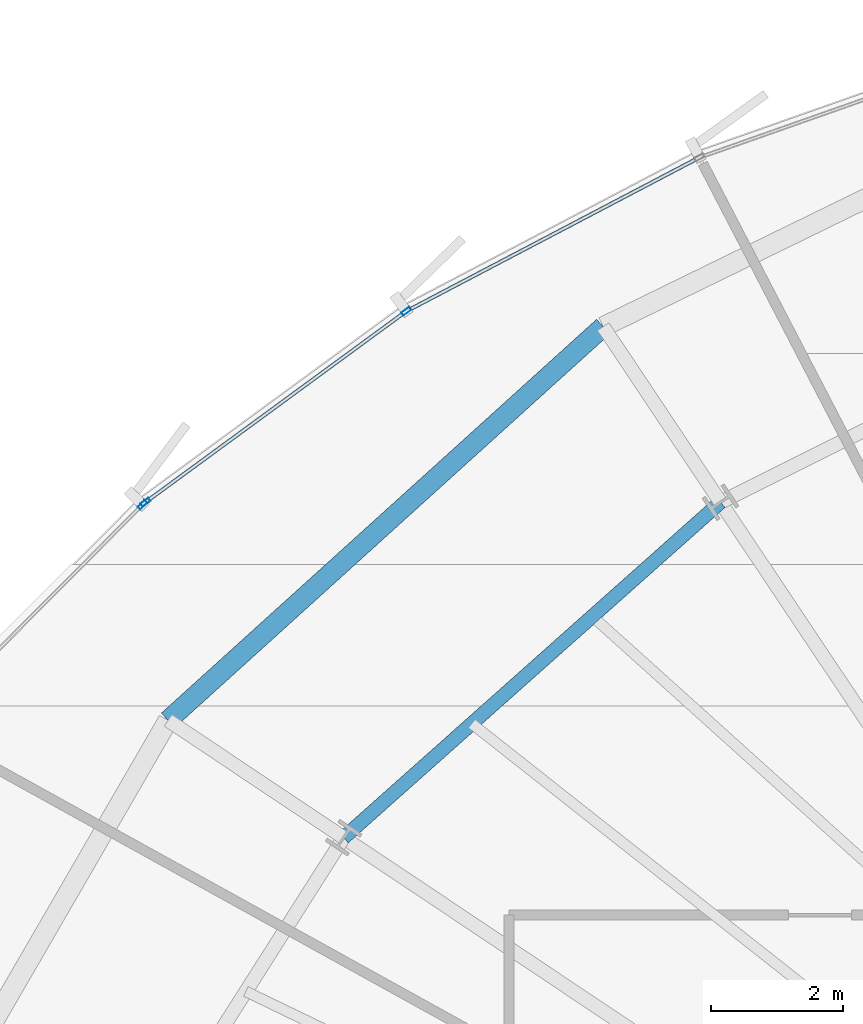
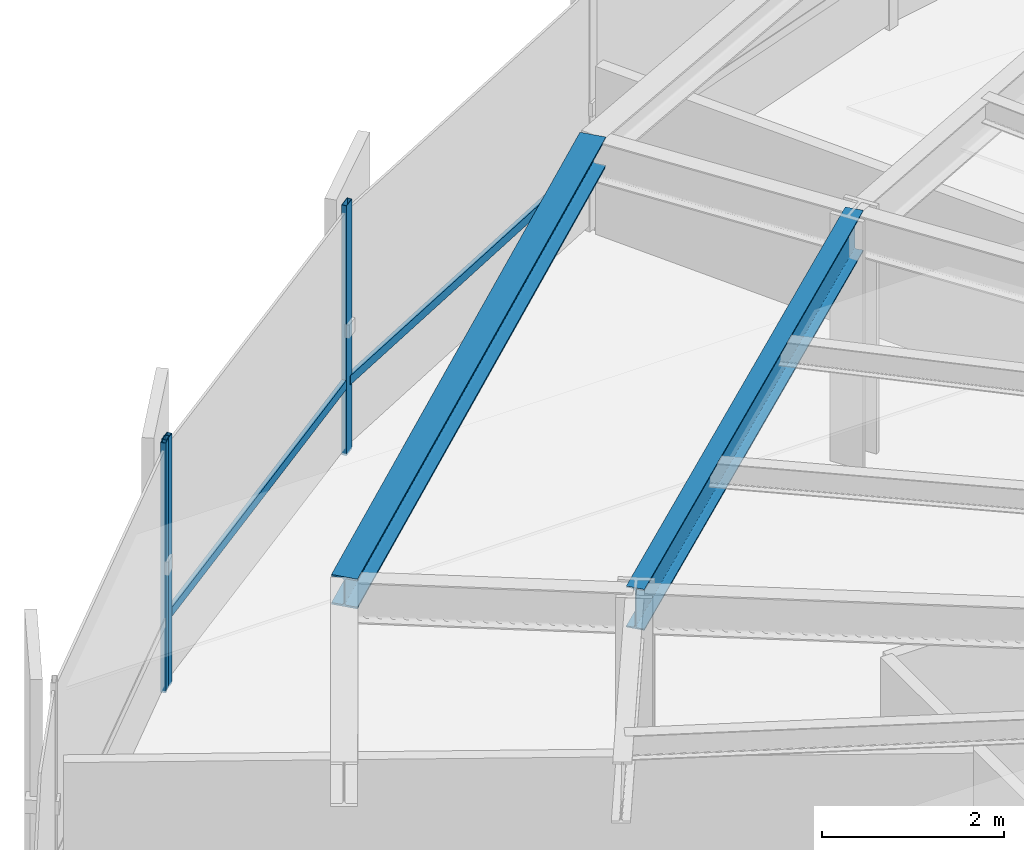
# One storey, part 18 of 35: 5 members, 2 beams, 2 elements without a shape of their own.
"""IFC4 building model written with IfcOpenShell, lengths in metres."""

from ifc_helpers import new_model, si_unit, direction, frame, origin, origin_2d, place, context, subcontext, project, spatial, hollow_rectangle, i_section, extrude, source, transform, mapped, material, layer, layer_set, material_profile, profile_set, type_object, element, aggregate, save


model = new_model("IFC4")

# Units and contexts
model_context = context("Model", 3, precision=1e-05, world=origin(), true_north=direction((0.0, 1.0)))
body_context = subcontext(model_context, "Body", "Model", "MODEL_VIEW")
ifc_project = project(units=[si_unit("LENGTHUNIT", "METRE"), si_unit("AREAUNIT", "SQUARE_METRE"), si_unit("VOLUMEUNIT", "CUBIC_METRE"), si_unit("PLANEANGLEUNIT", "RADIAN"), si_unit("MASSUNIT", "GRAM", prefix="KILO"), si_unit("THERMODYNAMICTEMPERATUREUNIT", "KELVIN")], contexts=[model_context])

# Site, building, storey
site_placement = place(None, origin())
site = spatial("IfcSite", under=ifc_project, at=site_placement, CompositionType="ELEMENT")
building_placement = place(site_placement, origin())
building = spatial("IfcBuilding", under=site, at=building_placement, Name="Kethvar Cultural Tower", CompositionType="ELEMENT")
storey_placement = place(building_placement, frame((0.0, 0.0, 96.39990234375)))
storey = spatial("IfcBuildingStorey", under=building, at=storey_placement, Name="L23", CompositionType="ELEMENT", Elevation=96.39990234375)

# Beams
ifc_material_1 = material(Name="Steel S355J2", Category="steel")
ifc_material_profile_1 = material_profile(ifc_material_1, i_section(OverallWidth=0.2099609375, OverallDepth=0.550048828125, WebThickness=0.010986328125, FlangeThickness=0.01708984375, FilletRadius=0.02392578125, at=origin_2d()), Name="Steel S355J2 — IPE550")
ifc_profile_set_1 = profile_set([ifc_material_profile_1], Name="Steel S355J2 — IPE550")
beam_type_1 = type_object("IfcBeamType", Name="BM-IPE550", PredefinedType="BEAM", material=ifc_profile_set_1)
shared_shape_1 = source(origin(), body_context, "Body", "SweptSolid", [
    extrude(i_section(OverallWidth=0.2099609375, OverallDepth=0.550048828125, WebThickness=0.010986328125, FlangeThickness=0.01708984375, FilletRadius=0.02392578125, at=origin_2d()), origin(), (0.0, 0.0, 1.0), 7.64599609375),
])
beam_1_placement = place(storey_placement, frame((36.0576171875, 43.877197265625, 3.072998046875), z_axis=(-0.747021617367, -0.66479974668, 0.0), x_axis=(0.66479974668, -0.747021617367, 0.0)))
element("IfcBeam", 1, at=beam_1_placement, inside=storey, type_object=beam_type_1, Name="L23 Column Ring Tie Beam CR-06", PredefinedType="BEAM", context=body_context, shape_type="MappedRepresentation", body=[
    mapped(shared_shape_1, transform((0.0, 0.0, 0.0), scale=1.0)),
])
ifc_material_profile_2 = material_profile(ifc_material_1, i_section(OverallWidth=0.300048828125, OverallDepth=0.39990234375, WebThickness=0.013427734375, FlangeThickness=0.02392578125, FilletRadius=0.027099609375, at=origin_2d()), Name="Steel S355J2 — HEB400")
ifc_profile_set_2 = profile_set([ifc_material_profile_2], Name="Steel S355J2 — HEB400")
beam_type_2 = type_object("IfcBeamType", Name="BM-SP400", PredefinedType="SPANDREL", material=ifc_profile_set_2)
shared_shape_2 = source(origin(), body_context, "Body", "SweptSolid", [
    extrude(i_section(OverallWidth=0.300048828125, OverallDepth=0.39990234375, WebThickness=0.013427734375, FlangeThickness=0.02392578125, FilletRadius=0.027099609375, at=origin_2d()), origin(), (0.0, 0.0, 1.0), 8.892822265625),
])
beam_2_placement = place(storey_placement, frame((34.27978515625, 46.5380859375, 3.148193359375), z_axis=(-0.741556591679, -0.670890319901, 0.0), x_axis=(0.670890319901, -0.741556591679, 0.0)))
element("IfcBeam", 2, at=beam_2_placement, inside=storey, type_object=beam_type_2, Name="L23 Perimeter Spandrel Beam SP-06", PredefinedType="SPANDREL", context=body_context, shape_type="MappedRepresentation", body=[
    mapped(shared_shape_2, transform((0.0, 0.0, 0.0), scale=1.0)),
])

# Curtain wall, members
ifc_material_2 = material(Name="Aluminium 6063-T6", Category="aluminium")
ifc_layer = layer(ifc_material_2, 0.179931640625, Name="Aluminium 6063-T6", Category="aluminium")
ifc_layer_set = layer_set([ifc_layer], Name="Aluminium 6063-T6 (180 mm)")
curtain_wall_type = type_object("IfcCurtainWallType", Name="CW-SYS-03-Z2", PredefinedType="NOTDEFINED", material=ifc_layer_set)
curtain_wall_1_placement = place(storey_placement, origin())
curtain_wall_1 = element("IfcCurtainWall", 3, at=curtain_wall_1_placement, inside=storey, type_object=curtain_wall_type, Name="L23 Curtain Wall Run 02", PredefinedType="NOTDEFINED")
ifc_material_profile_3 = material_profile(ifc_material_2, hollow_rectangle(XDim=0.06005859375, YDim=0.14990234375, WallThickness=0.0048828125, at=origin_2d()), Name="Aluminium 6063-T6 — RHS150x60x5")
ifc_profile_set_3 = profile_set([ifc_material_profile_3], Name="Aluminium 6063-T6 — RHS150x60x5")
member_type_1 = type_object("IfcMemberType", Name="CW-SYS-03-Z2-MUL", PredefinedType="MULLION", material=ifc_profile_set_3)
shared_shape_3 = source(origin(), body_context, "Body", "SweptSolid", [
    extrude(hollow_rectangle(XDim=0.06005859375, YDim=0.14990234375, WallThickness=0.0048828125, at=origin_2d()), origin(), (0.0, 0.0, 1.0), 3.35009765625),
])
member_1_placement = place(storey_placement, frame((31.295654296875, 46.773193359375, 0.0), z_axis=(0.0, 0.0, 1.0), x_axis=(0.590873233315, -0.806764415522, 0.0)))
member_1 = element("IfcMember", 4, at=member_1_placement, type_object=member_type_1, Name="CW-L23-R02 Mullion 6", PredefinedType="MULLION", context=body_context, shape_type="MappedRepresentation", body=[
    mapped(shared_shape_3, transform((0.0, 0.0, 0.0), scale=1.0)),
])
member_2_placement = place(storey_placement, frame((27.341796875, 43.87744140625, 0.0), z_axis=(0.0, 0.0, 1.0), x_axis=(0.590873233315, -0.806764415522, 0.0)))
member_2 = element("IfcMember", 5, at=member_2_placement, type_object=member_type_1, Name="CW-L23-R02 Mullion 7", PredefinedType="MULLION", context=body_context, shape_type="MappedRepresentation", body=[
    mapped(shared_shape_3, transform((0.0, 0.0, 0.0), scale=1.0)),
])

# Curtain wall, member
curtain_wall_2_placement = place(storey_placement, origin())
curtain_wall_2 = element("IfcCurtainWall", 6, at=curtain_wall_2_placement, inside=storey, type_object=curtain_wall_type, Name="L23 Curtain Wall Run 03", PredefinedType="NOTDEFINED")
member_3_placement = place(storey_placement, frame((27.29638671875, 43.83837890625, 0.0), z_axis=(0.0, 0.0, 1.0), x_axis=(0.709041714717, -0.705166538337, 0.0)))
member_3 = element("IfcMember", 7, at=member_3_placement, type_object=member_type_1, Name="CW-L23-R03 Mullion 1", PredefinedType="MULLION", context=body_context, shape_type="MappedRepresentation", body=[
    mapped(shared_shape_3, transform((0.0, 0.0, 0.0), scale=1.0)),
])
aggregate(curtain_wall_2, [member_3])

# Member
ifc_material_profile_4 = material_profile(ifc_material_2, hollow_rectangle(XDim=0.054931640625, YDim=0.1201171875, WallThickness=0.00390625, at=origin_2d()), Name="Aluminium 6063-T6 — RHS120x55x4")
ifc_profile_set_4 = profile_set([ifc_material_profile_4], Name="Aluminium 6063-T6 — RHS120x55x4")
member_type_2 = type_object("IfcMemberType", Name="CW-SYS-03-Z2-TRN", PredefinedType="USERDEFINED", material=ifc_profile_set_4)
shared_shape_4 = source(origin(), body_context, "Body", "SweptSolid", [
    extrude(hollow_rectangle(XDim=0.054931640625, YDim=0.1201171875, WallThickness=0.00390625, at=origin_2d()), origin(), (0.0, 0.0, 1.0), 4.948486328125),
])
member_4_placement = place(storey_placement, frame((35.701171875, 49.08349609375, 0.9501953125), z_axis=(-0.88549331823, -0.464652110045, 0.0), x_axis=(0.464652110045, -0.88549331823, 0.0)))
member_4 = element("IfcMember", 8, at=member_4_placement, type_object=member_type_2, Name="CW-L23-R02 Transom 5", ObjectType="TRANSOM", PredefinedType="USERDEFINED", context=body_context, shape_type="MappedRepresentation", body=[
    mapped(shared_shape_4, transform((0.0, 0.0, 0.0), scale=1.0)),
])

shared_shape_5 = source(origin(), body_context, "Body", "SweptSolid", [
    extrude(hollow_rectangle(XDim=0.054931640625, YDim=0.1201171875, WallThickness=0.00390625, at=origin_2d()), origin(), (0.0, 0.0, 1.0), 4.853271484375),
])
member_5_placement = place(storey_placement, frame((31.2607421875, 46.74755859375, 0.9501953125), z_axis=(-0.806769471123, -0.590866330453, 0.0), x_axis=(0.590866330453, -0.806769471123, 0.0)))
member_5 = element("IfcMember", 9, at=member_5_placement, type_object=member_type_2, Name="CW-L23-R02 Transom 6", ObjectType="TRANSOM", PredefinedType="USERDEFINED", context=body_context, shape_type="MappedRepresentation", body=[
    mapped(shared_shape_5, transform((0.0, 0.0, 0.0), scale=1.0)),
])

aggregate(curtain_wall_1, [member_1, member_2, member_4, member_5])

save(model, "model.ifc")
